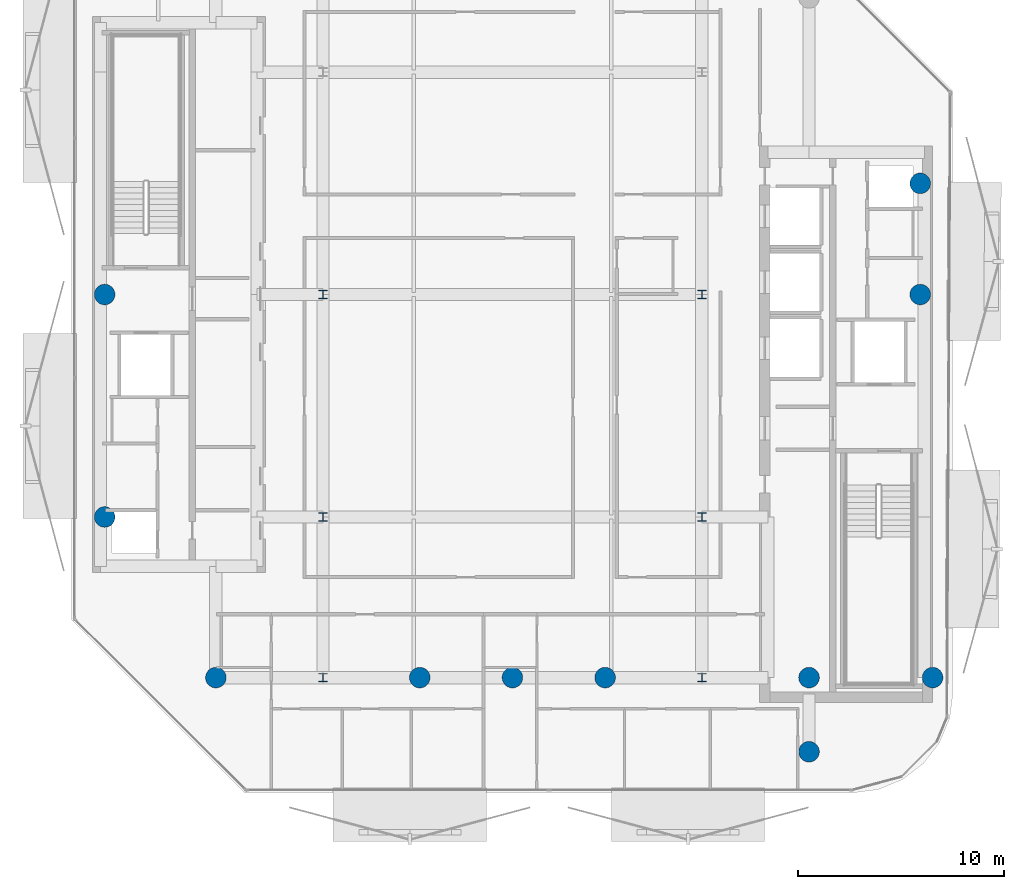
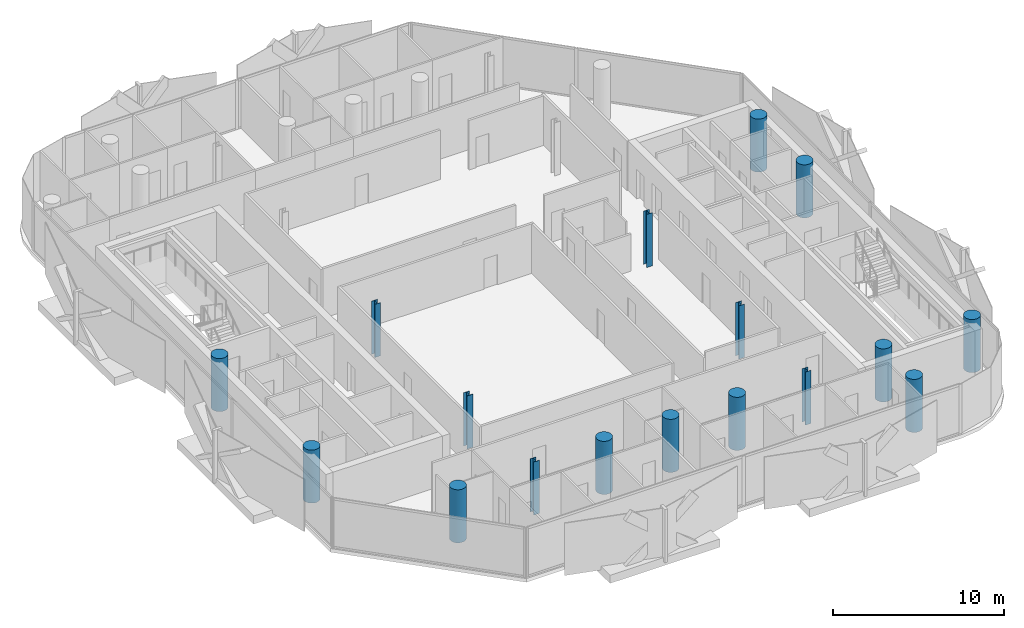
# One storey, part 1 of 17: 17 columns.
"""IFC4 building model written with IfcOpenShell, lengths in metres."""

from ifc_helpers import new_model, si_unit, direction, frame, origin, origin_2d, place, context, subcontext, project, spatial, circle, i_section, extrude, material, material_profile, profile_set, type_object, element, save


model = new_model("IFC4")

# Units and contexts
model_context = context("Model", 3, precision=1e-05, world=origin(), true_north=direction((0.0, 1.0)))
body_context = subcontext(model_context, "Body", "Model", "MODEL_VIEW")
ifc_project = project(units=[si_unit("LENGTHUNIT", "METRE"), si_unit("AREAUNIT", "SQUARE_METRE"), si_unit("VOLUMEUNIT", "CUBIC_METRE"), si_unit("PLANEANGLEUNIT", "RADIAN"), si_unit("MASSUNIT", "GRAM", prefix="KILO")], contexts=[model_context])

# Site, building, storey
site_placement = place(None, origin())
site = spatial("IfcSite", under=ifc_project, at=site_placement, CompositionType="ELEMENT")
building_placement = place(site_placement, origin())
building = spatial("IfcBuilding", under=site, at=building_placement, Name="Khairoan Windgate Tower", CompositionType="ELEMENT")
storey_placement = place(building_placement, frame((0.0, 0.0, 304.199951171875)))
storey = spatial("IfcBuildingStorey", under=building, at=storey_placement, Name="L73", CompositionType="ELEMENT", Elevation=304.199951171875)

# Columns
ifc_material_1 = material(Name="Concrete C60/75", Category="concrete")
ifc_material_profile_1 = material_profile(ifc_material_1, circle(Radius=0.5, at=origin_2d()))
ifc_profile_set_1 = profile_set([ifc_material_profile_1], Name="Concrete C60/75")
column_type_1 = type_object("IfcColumnType", Name="Column C-P1 RC-D1000", PredefinedType="COLUMN", material=ifc_profile_set_1)
for number, where, z_axis, x_axis, name in (
    (1, (20.39990234375, -18.60009765625, 0.0), (0.0, 0.0, 1.0), (1.0, 0.0, 0.0), "Column L73-12"),
    (2, (-14.39990234375, -18.60009765625, 0.0), (0.0, 0.0, 1.0), (1.0, 0.0, 0.0), "Column L73-13"),
    (3, (14.39990234375, -18.60009765625, 0.0), (0.0, 0.0, 1.0), (1.0, 0.0, 0.0), "Column L73-15"),
    (4, (-4.5, -18.60009765625, 0.0), (0.0, 0.0, 1.0), (1.0, 0.0, 0.0), "Column L73-17"),
    (5, (0.0, -18.60009765625, 0.0), (0.0, 0.0, 1.0), (1.0, 0.0, 0.0), "Column L73-18"),
    (6, (4.5, -18.60009765625, 0.0), (0.0, 0.0, 1.0), (1.0, 0.0, 0.0), "Column L73-19"),
    (7, (-19.800048828125, -10.800048828125, 0.0), (0.0, 0.0, 1.0), (1.0, 0.0, 0.0), "Column L73-23"),
    (8, (-19.800048828125, 0.0, 0.0), (0.0, 0.0, 1.0), (1.0, 0.0, 0.0), "Column L73-24"),
    (9, (19.800048828125, 0.0, 0.0), (0.0, 0.0, 1.0), (1.0, 0.0, 0.0), "Column L73-25"),
    (10, (19.800048828125, 5.39990234375, 0.0), (0.0, 0.0, 1.0), (1.0, 0.0, 0.0), "Column L73-26"),
    (11, (14.39990234375, -22.199951171875, 0.0), (0.0, 0.0, 1.0), (1.0, 0.0, 0.0), "Column L73-28"),
):
    element("IfcColumn", number, at=place(storey_placement, frame(where, z_axis=z_axis, x_axis=x_axis)), inside=storey, type_object=column_type_1, Name=name, PredefinedType="COLUMN", context=body_context, shape_type="SweptSolid", body=[
        extrude(circle(Radius=0.5, at=origin_2d()), origin(), (0.0, 0.0, 1.0), 3.800048828125),
    ])
ifc_material_2 = material(Name="Steel S355", Category="steel")
ifc_material_profile_2 = material_profile(ifc_material_2, i_section(OverallWidth=0.39990234375, OverallDepth=0.39990234375, WebThickness=0.012939453125, FlangeThickness=0.02099609375, FilletRadius=0.02197265625, at=origin_2d()))
ifc_profile_set_2 = profile_set([ifc_material_profile_2], Name="Steel S355")
column_type_2 = type_object("IfcColumnType", Name="Steel Column SC4 H400x400x13x21", PredefinedType="COLUMN", material=ifc_profile_set_2)
for number, where, z_axis, x_axis, name in (
    (12, (-9.199951171875, -18.60009765625, 0.0), (0.0, 0.0, 1.0), (1.0, 0.0, 0.0), "Column L73-01"),
    (13, (-9.199951171875, -10.800048828125, 0.0), (0.0, 0.0, 1.0), (1.0, 0.0, 0.0), "Column L73-02"),
    (14, (-9.199951171875, 0.0, 0.0), (0.0, 0.0, 1.0), (1.0, 0.0, 0.0), "Column L73-03"),
    (15, (9.199951171875, -18.60009765625, 0.0), (0.0, 0.0, 1.0), (1.0, 0.0, 0.0), "Column L73-06"),
    (16, (9.199951171875, -10.800048828125, 0.0), (0.0, 0.0, 1.0), (1.0, 0.0, 0.0), "Column L73-07"),
    (17, (9.199951171875, 0.0, 0.0), (0.0, 0.0, 1.0), (1.0, 0.0, 0.0), "Column L73-08"),
):
    element("IfcColumn", number, at=place(storey_placement, frame(where, z_axis=z_axis, x_axis=x_axis)), inside=storey, type_object=column_type_2, Name=name, PredefinedType="COLUMN", context=body_context, shape_type="SweptSolid", body=[
        extrude(i_section(OverallWidth=0.39990234375, OverallDepth=0.39990234375, WebThickness=0.012939453125, FlangeThickness=0.02099609375, FilletRadius=0.02197265625, at=origin_2d()), origin(), (0.0, 0.0, 1.0), 3.800048828125),
    ])

save(model, "model.ifc")
